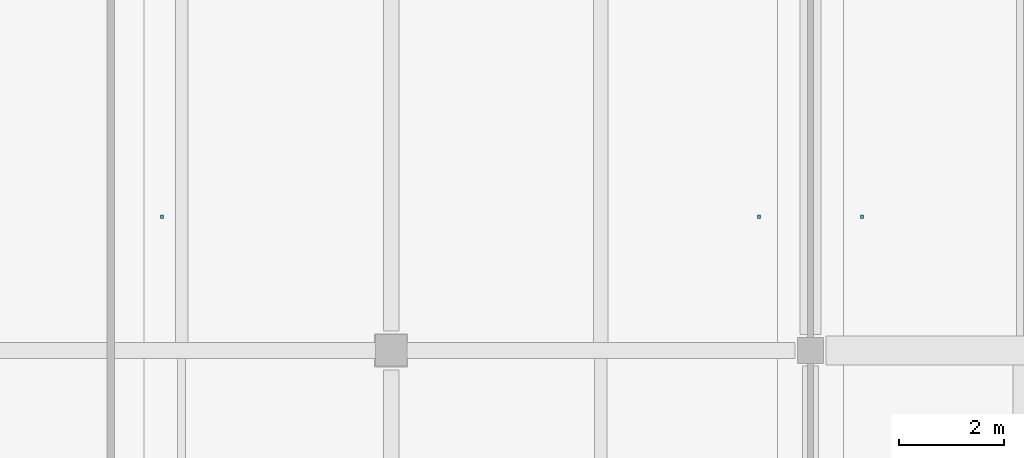
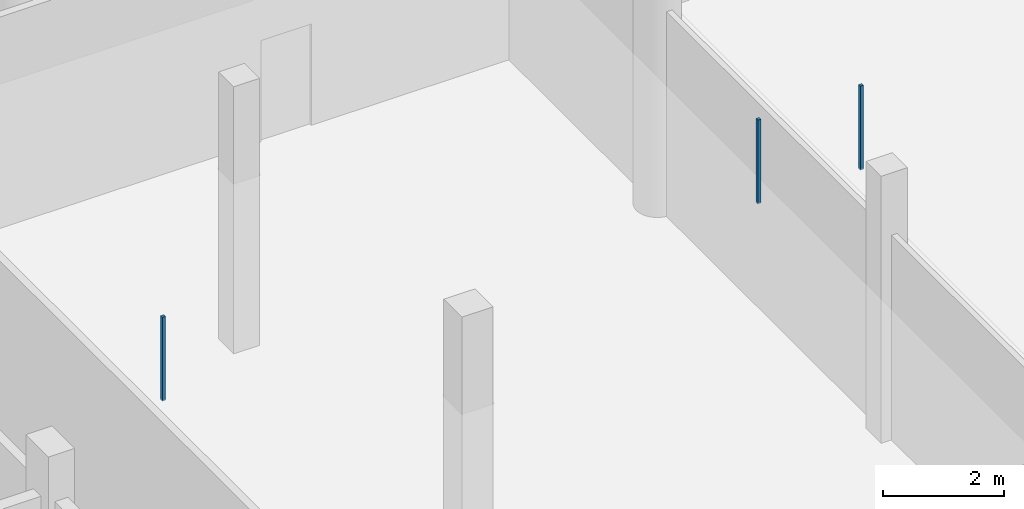
# One storey, part 96 of 126: 3 discrete accessories.
"""IFC4 building model written with IfcOpenShell, lengths in metres."""

from ifc_helpers import new_model, si_unit, direction, frame, origin, origin_2d, place, context, subcontext, project, spatial, rectangle, extrude, material, type_object, element, save


model = new_model("IFC4")

# Units and contexts
model_context = context("Model", 3, precision=1e-05, world=origin(), true_north=direction((0.0, 1.0)))
body_context = subcontext(model_context, "Body", "Model", "MODEL_VIEW")
ifc_project = project(units=[si_unit("LENGTHUNIT", "METRE"), si_unit("AREAUNIT", "SQUARE_METRE"), si_unit("VOLUMEUNIT", "CUBIC_METRE"), si_unit("PLANEANGLEUNIT", "RADIAN"), si_unit("MASSUNIT", "GRAM", prefix="KILO")], contexts=[model_context])

# Site, building, storey
site_placement = place(None, origin())
site = spatial("IfcSite", under=ifc_project, at=site_placement, CompositionType="ELEMENT")
building_placement = place(site_placement, origin())
building = spatial("IfcBuilding", under=site, at=building_placement, Name="Khelvaren Railside Concert Hall", CompositionType="ELEMENT")
storey_placement = place(building_placement, origin())
storey = spatial("IfcBuildingStorey", under=building, at=storey_placement, Name="L00", CompositionType="ELEMENT", Elevation=0.0)

# Discrete accessories
ifc_material = material(Name="Galvanised steel acoustic ceiling hanger rod", Category="steel")
discrete_accessory_type = type_object("IfcDiscreteAccessoryType", Name="BRK62", PredefinedType="BRACKET", material=ifc_material)
for number, where, z_axis, x_axis, name in (
    (1, (139.6298828125, 93.75, 3.429931640625), (0.0, 0.0, 1.0), (1.0, 0.0, 0.0), "Acoustic Ceiling Suspension Bracket 128-1"),
    (2, (151.02001953125, 93.75, 3.429931640625), (0.0, 0.0, 1.0), (1.0, 0.0, 0.0), "Acoustic Ceiling Suspension Bracket 128-2"),
    (3, (152.97998046875, 93.75, 3.429931640625), (0.0, 0.0, 1.0), (1.0, 0.0, 0.0), "Acoustic Ceiling Suspension Bracket 129-1"),
):
    element("IfcDiscreteAccessory", number, at=place(storey_placement, frame(where, z_axis=z_axis, x_axis=x_axis)), inside=storey, type_object=discrete_accessory_type, Name=name, PredefinedType="BRACKET", context=body_context, shape_type="SweptSolid", body=[
        extrude(rectangle(XDim=0.06005859375, YDim=0.06005859375, at=origin_2d()), origin(), (0.0, 0.0, 1.0), 1.68994140625),
    ])

save(model, "model.ifc")
